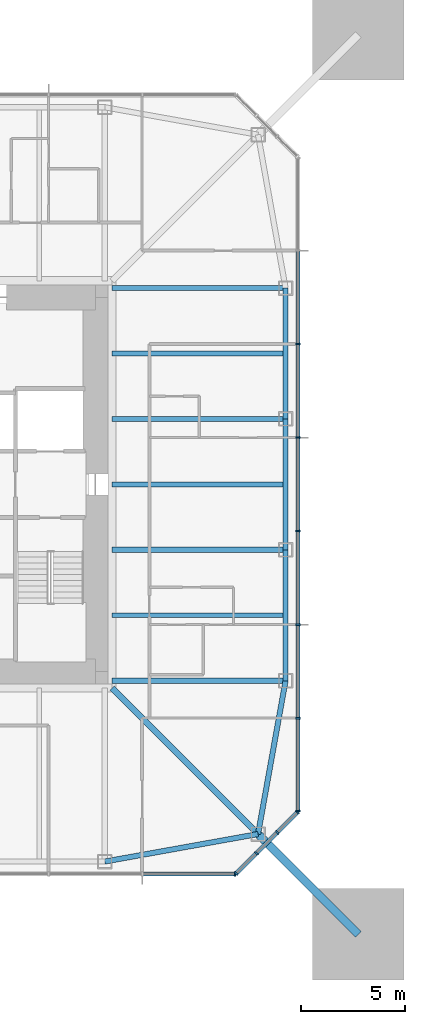
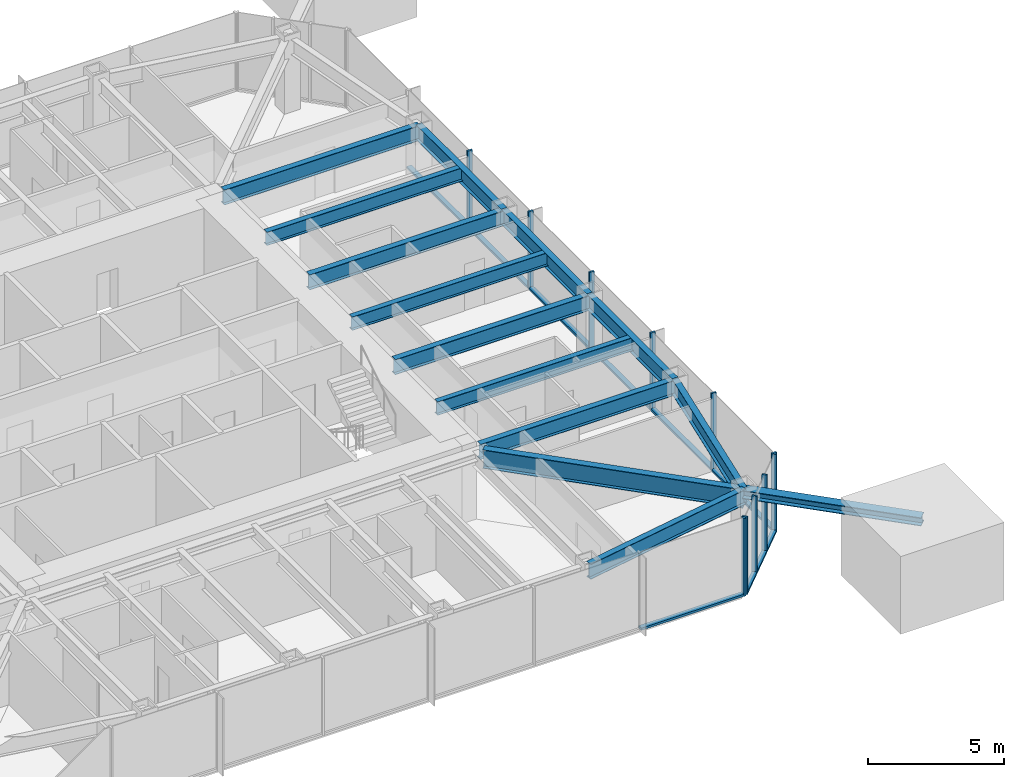
# One storey, part 3 of 11: 22 members, 13 beams, 3 elements without a shape of their own.
"""IFC4 building model written with IfcOpenShell, lengths in metres."""

from ifc_helpers import new_model, si_unit, direction, frame, origin, origin_2d, place, context, subcontext, project, spatial, rectangle, i_section, extrude, material, material_profile, profile_set, type_object, element, aggregate, save


model = new_model("IFC4")

# Units and contexts
model_context = context("Model", 3, precision=1e-05, world=origin(), true_north=direction((0.0, 1.0)))
body_context = subcontext(model_context, "Body", "Model", "MODEL_VIEW")
ifc_project = project(units=[si_unit("LENGTHUNIT", "METRE"), si_unit("AREAUNIT", "SQUARE_METRE"), si_unit("VOLUMEUNIT", "CUBIC_METRE"), si_unit("PLANEANGLEUNIT", "RADIAN"), si_unit("MASSUNIT", "GRAM", prefix="KILO")], contexts=[model_context])

# Site, building, storey
site_placement = place(None, origin())
site = spatial("IfcSite", under=ifc_project, at=site_placement, CompositionType="ELEMENT")
building_placement = place(site_placement, origin())
building = spatial("IfcBuilding", under=site, at=building_placement, Name="Iwan Alto Co-Living Towers", CompositionType="ELEMENT")
storey_placement = place(building_placement, frame((0.0, 0.0, 174.0)))
storey = spatial("IfcBuildingStorey", under=building, at=storey_placement, Name="L47", CompositionType="ELEMENT", Elevation=174.0)

# Curtain wall, member
ifc_material_1 = material(Name="Bronze aluminium unitised frame", Category="aluminium")
curtain_wall_type_1 = type_object("IfcCurtainWallType", Name="CURTAIN WALL CW-A", PredefinedType="NOTDEFINED", material=ifc_material_1)
curtain_wall_1_placement = place(storey_placement, origin())
curtain_wall_1 = element("IfcCurtainWall", 1, at=curtain_wall_1_placement, inside=storey, type_object=curtain_wall_type_1, Name="T1 curtain wall S L47", PredefinedType="NOTDEFINED")
ifc_material_2 = material(Name="Aluminium 6063-T6 bronze anodised", Category="aluminium")
ifc_material_profile_1 = material_profile(ifc_material_2, rectangle(XDim=0.199951171875, YDim=0.080078125, at=origin_2d()), Name="AL 80X200")
ifc_profile_set_1 = profile_set([ifc_material_profile_1], Name="Aluminium 6063-T6 bronze anodised")
member_type_1 = type_object("IfcMemberType", Name="CW-A MULLION 80X200", PredefinedType="MULLION", material=ifc_profile_set_1)
member_1_placement = place(storey_placement, frame((15.7099609375, -18.75, 0.0), z_axis=(0.0, 0.0, 1.0), x_axis=(0.0, 1.0, 0.0)))
member_1 = element("IfcMember", 2, at=member_1_placement, type_object=member_type_1, Name="CW-A mullion 8", PredefinedType="MULLION", context=body_context, shape_type="SweptSolid", body=[
    extrude(rectangle(XDim=0.199951171875, YDim=0.080078125, at=origin_2d()), origin(), (0.0, 0.0, 1.0), 3.5),
])

# Curtain wall, members
curtain_wall_2_placement = place(storey_placement, origin())
curtain_wall_2 = element("IfcCurtainWall", 3, at=curtain_wall_2_placement, inside=storey, type_object=curtain_wall_type_1, Name="T1 curtain wall E L47", PredefinedType="NOTDEFINED")
member_2_placement = place(storey_placement, frame((18.75, -15.7099609375, 0.0), z_axis=(0.0, 0.0, 1.0), x_axis=(-1.0, 0.0, 0.0)))
member_2 = element("IfcMember", 4, at=member_2_placement, type_object=member_type_1, Name="CW-A mullion 1", PredefinedType="MULLION", context=body_context, shape_type="SweptSolid", body=[
    extrude(rectangle(XDim=0.199951171875, YDim=0.080078125, at=origin_2d()), origin(), (0.0, 0.0, 1.0), 3.5),
])
member_3_placement = place(storey_placement, frame((18.75, -11.25, 0.0), z_axis=(0.0, 0.0, 1.0), x_axis=(-1.0, 0.0, 0.0)))
member_3 = element("IfcMember", 5, at=member_3_placement, type_object=member_type_1, Name="CW-A mullion 2", PredefinedType="MULLION", context=body_context, shape_type="SweptSolid", body=[
    extrude(rectangle(XDim=0.199951171875, YDim=0.080078125, at=origin_2d()), origin(), (0.0, 0.0, 1.0), 3.5),
])
member_4_placement = place(storey_placement, frame((18.75, -6.75, 0.0), z_axis=(0.0, 0.0, 1.0), x_axis=(-1.0, 0.0, 0.0)))
member_4 = element("IfcMember", 6, at=member_4_placement, type_object=member_type_1, Name="CW-A mullion 3", PredefinedType="MULLION", context=body_context, shape_type="SweptSolid", body=[
    extrude(rectangle(XDim=0.199951171875, YDim=0.080078125, at=origin_2d()), origin(), (0.0, 0.0, 1.0), 3.5),
])
member_5_placement = place(storey_placement, frame((18.75, -2.25, 0.0), z_axis=(0.0, 0.0, 1.0), x_axis=(-1.0, 0.0, 0.0)))
member_5 = element("IfcMember", 7, at=member_5_placement, type_object=member_type_1, Name="CW-A mullion 4", PredefinedType="MULLION", context=body_context, shape_type="SweptSolid", body=[
    extrude(rectangle(XDim=0.199951171875, YDim=0.080078125, at=origin_2d()), origin(), (0.0, 0.0, 1.0), 3.5),
])
member_6_placement = place(storey_placement, frame((18.75, 2.25, 0.0), z_axis=(0.0, 0.0, 1.0), x_axis=(-1.0, 0.0, 0.0)))
member_6 = element("IfcMember", 8, at=member_6_placement, type_object=member_type_1, Name="CW-A mullion 5", PredefinedType="MULLION", context=body_context, shape_type="SweptSolid", body=[
    extrude(rectangle(XDim=0.199951171875, YDim=0.080078125, at=origin_2d()), origin(), (0.0, 0.0, 1.0), 3.5),
])
member_7_placement = place(storey_placement, frame((18.75, 6.75, 0.0), z_axis=(0.0, 0.0, 1.0), x_axis=(-1.0, 0.0, 0.0)))
member_7 = element("IfcMember", 9, at=member_7_placement, type_object=member_type_1, Name="CW-A mullion 6", PredefinedType="MULLION", context=body_context, shape_type="SweptSolid", body=[
    extrude(rectangle(XDim=0.199951171875, YDim=0.080078125, at=origin_2d()), origin(), (0.0, 0.0, 1.0), 3.5),
])

# Member
ifc_material_3 = material(Name="Aluminium 6063-T6 bronze anodised", Category="aluminium")
ifc_material_profile_2 = material_profile(ifc_material_3, rectangle(XDim=0.199951171875, YDim=0.10009765625, at=origin_2d()), Name="AL 200X100")
ifc_profile_set_2 = profile_set([ifc_material_profile_2], Name="Aluminium 6063-T6 bronze anodised")
member_type_2 = type_object("IfcMemberType", Name="CW-A TRANSOM 200X100", PredefinedType="USERDEFINED", material=ifc_profile_set_2)
member_8_placement = place(storey_placement, frame((11.2900390625, -18.75, 0.050048828125), z_axis=(1.0, 0.0, 0.0), x_axis=(0.0, 1.0, 0.0)))
member_8 = element("IfcMember", 10, at=member_8_placement, type_object=member_type_2, Name="CW-A transom 7.1", ObjectType="TRANSOM", PredefinedType="USERDEFINED", context=body_context, shape_type="SweptSolid", body=[
    extrude(rectangle(XDim=0.199951171875, YDim=0.10009765625, at=origin_2d()), origin(), (0.0, 0.0, 1.0), 4.3798828125),
])

aggregate(curtain_wall_1, [member_1, member_8])

member_9_placement = place(storey_placement, frame((18.75, -15.669921875, 0.050048828125), z_axis=(0.0, 1.0, 0.0), x_axis=(-1.0, 0.0, 0.0)))
member_9 = element("IfcMember", 11, at=member_9_placement, type_object=member_type_2, Name="CW-A transom 1.1", ObjectType="TRANSOM", PredefinedType="USERDEFINED", context=body_context, shape_type="SweptSolid", body=[
    extrude(rectangle(XDim=0.199951171875, YDim=0.10009765625, at=origin_2d()), origin(), (0.0, 0.0, 1.0), 4.3798828125),
])

member_10_placement = place(storey_placement, frame((18.75, -11.2099609375, 0.050048828125), z_axis=(0.0, 1.0, 0.0), x_axis=(-1.0, 0.0, 0.0)))
member_10 = element("IfcMember", 12, at=member_10_placement, type_object=member_type_2, Name="CW-A transom 2.1", ObjectType="TRANSOM", PredefinedType="USERDEFINED", context=body_context, shape_type="SweptSolid", body=[
    extrude(rectangle(XDim=0.199951171875, YDim=0.10009765625, at=origin_2d()), origin(), (0.0, 0.0, 1.0), 4.419921875),
])

member_11_placement = place(storey_placement, frame((18.75, -6.7099609375, 0.050048828125), z_axis=(0.0, 1.0, 0.0), x_axis=(-1.0, 0.0, 0.0)))
member_11 = element("IfcMember", 13, at=member_11_placement, type_object=member_type_2, Name="CW-A transom 3.1", ObjectType="TRANSOM", PredefinedType="USERDEFINED", context=body_context, shape_type="SweptSolid", body=[
    extrude(rectangle(XDim=0.199951171875, YDim=0.10009765625, at=origin_2d()), origin(), (0.0, 0.0, 1.0), 4.419921875),
])

member_12_placement = place(storey_placement, frame((18.75, -2.2099609375, 0.050048828125), z_axis=(0.0, 1.0, 0.0), x_axis=(-1.0, 0.0, 0.0)))
member_12 = element("IfcMember", 14, at=member_12_placement, type_object=member_type_2, Name="CW-A transom 4.1", ObjectType="TRANSOM", PredefinedType="USERDEFINED", context=body_context, shape_type="SweptSolid", body=[
    extrude(rectangle(XDim=0.199951171875, YDim=0.10009765625, at=origin_2d()), origin(), (0.0, 0.0, 1.0), 4.419921875),
])

member_13_placement = place(storey_placement, frame((18.75, 2.2900390625, 0.050048828125), z_axis=(0.0, 1.0, 0.0), x_axis=(-1.0, 0.0, 0.0)))
member_13 = element("IfcMember", 15, at=member_13_placement, type_object=member_type_2, Name="CW-A transom 5.1", ObjectType="TRANSOM", PredefinedType="USERDEFINED", context=body_context, shape_type="SweptSolid", body=[
    extrude(rectangle(XDim=0.199951171875, YDim=0.10009765625, at=origin_2d()), origin(), (0.0, 0.0, 1.0), 4.419921875),
])

member_14_placement = place(storey_placement, frame((18.75, 6.7900390625, 0.050048828125), z_axis=(0.0, 1.0, 0.0), x_axis=(-1.0, 0.0, 0.0)))
member_14 = element("IfcMember", 16, at=member_14_placement, type_object=member_type_2, Name="CW-A transom 6.1", ObjectType="TRANSOM", PredefinedType="USERDEFINED", context=body_context, shape_type="SweptSolid", body=[
    extrude(rectangle(XDim=0.199951171875, YDim=0.10009765625, at=origin_2d()), origin(), (0.0, 0.0, 1.0), 4.419921875),
])

aggregate(curtain_wall_2, [member_2, member_3, member_4, member_5, member_6, member_7, member_9, member_10, member_11, member_12, member_13, member_14])

# Curtain wall, members
ifc_material_4 = material(Name="Bronze aluminium unitised frame", Category="aluminium")
curtain_wall_type_2 = type_object("IfcCurtainWallType", Name="CURTAIN WALL CW-B", PredefinedType="NOTDEFINED", material=ifc_material_4)
curtain_wall_3_placement = place(storey_placement, origin())
curtain_wall_3 = element("IfcCurtainWall", 17, at=curtain_wall_3_placement, inside=storey, type_object=curtain_wall_type_2, Name="T1 chamfer curtain wall SE L47", PredefinedType="NOTDEFINED")
ifc_material_5 = material(Name="Aluminium 6063-T6 bronze anodised", Category="aluminium")
ifc_material_profile_3 = material_profile(ifc_material_5, rectangle(XDim=0.199951171875, YDim=0.080078125, at=origin_2d()), Name="AL 80X200")
ifc_profile_set_3 = profile_set([ifc_material_profile_3], Name="Aluminium 6063-T6 bronze anodised")
member_type_3 = type_object("IfcMemberType", Name="CW-B MULLION 80X200", PredefinedType="MULLION", material=ifc_profile_set_3)
member_15_placement = place(storey_placement, frame((15.7783203125, -18.7216796875, 0.0), z_axis=(0.0, 0.0, 1.0), x_axis=(-0.707106781187, 0.707106781187, 0.0)))
member_15 = element("IfcMember", 18, at=member_15_placement, type_object=member_type_3, Name="CW-B mullion 1", PredefinedType="MULLION", context=body_context, shape_type="SweptSolid", body=[
    extrude(rectangle(XDim=0.199951171875, YDim=0.080078125, at=origin_2d()), origin(), (0.0, 0.0, 1.0), 3.5),
])
member_16_placement = place(storey_placement, frame((16.75, -17.75, 0.0), z_axis=(0.0, 0.0, 1.0), x_axis=(-0.707106781187, 0.707106781187, 0.0)))
member_16 = element("IfcMember", 19, at=member_16_placement, type_object=member_type_3, Name="CW-B mullion 2", PredefinedType="MULLION", context=body_context, shape_type="SweptSolid", body=[
    extrude(rectangle(XDim=0.199951171875, YDim=0.080078125, at=origin_2d()), origin(), (0.0, 0.0, 1.0), 3.5),
])
member_17_placement = place(storey_placement, frame((17.75, -16.75, 0.0), z_axis=(0.0, 0.0, 1.0), x_axis=(-0.707106781187, 0.707106781187, 0.0)))
member_17 = element("IfcMember", 20, at=member_17_placement, type_object=member_type_3, Name="CW-B mullion 3", PredefinedType="MULLION", context=body_context, shape_type="SweptSolid", body=[
    extrude(rectangle(XDim=0.199951171875, YDim=0.080078125, at=origin_2d()), origin(), (0.0, 0.0, 1.0), 3.5),
])
member_18_placement = place(storey_placement, frame((18.7216796875, -15.7783203125, 0.0), z_axis=(0.0, 0.0, 1.0), x_axis=(-0.707106781187, 0.707106781187, 0.0)))
member_18 = element("IfcMember", 21, at=member_18_placement, type_object=member_type_3, Name="CW-B mullion 4", PredefinedType="MULLION", context=body_context, shape_type="SweptSolid", body=[
    extrude(rectangle(XDim=0.199951171875, YDim=0.080078125, at=origin_2d()), origin(), (0.0, 0.0, 1.0), 3.5),
])
ifc_material_6 = material(Name="Aluminium 6063-T6 bronze anodised", Category="aluminium")
ifc_material_profile_4 = material_profile(ifc_material_6, rectangle(XDim=0.199951171875, YDim=0.10009765625, at=origin_2d()), Name="AL 200X100")
ifc_profile_set_4 = profile_set([ifc_material_profile_4], Name="Aluminium 6063-T6 bronze anodised")
member_type_4 = type_object("IfcMemberType", Name="CW-B TRANSOM 200X100", PredefinedType="USERDEFINED", material=ifc_profile_set_4)
member_19_placement = place(storey_placement, frame((15.806640625, -18.693359375, 0.050048828125), z_axis=(0.707106781187, 0.707106781187, 0.0), x_axis=(-0.707106781187, 0.707106781187, 0.0)))
member_19 = element("IfcMember", 22, at=member_19_placement, type_object=member_type_4, Name="CW-B transom 1.1", ObjectType="TRANSOM", PredefinedType="USERDEFINED", context=body_context, shape_type="SweptSolid", body=[
    extrude(rectangle(XDim=0.199951171875, YDim=0.10009765625, at=origin_2d()), origin(), (0.0, 0.0, 1.0), 1.2939453125),
])
member_20_placement = place(storey_placement, frame((16.7783203125, -17.7216796875, 0.050048828125), z_axis=(0.707106781187, 0.707106781187, 0.0), x_axis=(-0.707106781187, 0.707106781187, 0.0)))
member_20 = element("IfcMember", 23, at=member_20_placement, type_object=member_type_4, Name="CW-B transom 2.1", ObjectType="TRANSOM", PredefinedType="USERDEFINED", context=body_context, shape_type="SweptSolid", body=[
    extrude(rectangle(XDim=0.199951171875, YDim=0.10009765625, at=origin_2d()), origin(), (0.0, 0.0, 1.0), 1.334228515625),
])
member_21_placement = place(storey_placement, frame((17.7783203125, -16.7216796875, 0.050048828125), z_axis=(0.707106781187, 0.707106781187, 0.0), x_axis=(-0.707106781187, 0.707106781187, 0.0)))
member_21 = element("IfcMember", 24, at=member_21_placement, type_object=member_type_4, Name="CW-B transom 3.1", ObjectType="TRANSOM", PredefinedType="USERDEFINED", context=body_context, shape_type="SweptSolid", body=[
    extrude(rectangle(XDim=0.199951171875, YDim=0.10009765625, at=origin_2d()), origin(), (0.0, 0.0, 1.0), 1.2939453125),
])
aggregate(curtain_wall_3, [member_15, member_16, member_17, member_18, member_19, member_20, member_21])

# Beams
ifc_material_7 = material(Name="Steel ASTM A992 Gr 50", Category="steel")
ifc_material_profile_5 = material_profile(ifc_material_7, i_section(OverallWidth=0.2919921875, OverallDepth=0.8408203125, WebThickness=0.0146484375, FlangeThickness=0.021728515625, at=origin_2d()), Name="W33X130")
ifc_profile_set_5 = profile_set([ifc_material_profile_5], Name="Steel ASTM A992 Gr 50")
beam_type_1 = type_object("IfcBeamType", Name="T1 CORNER GIRDER W33X130", PredefinedType="BEAM", material=ifc_profile_set_5)
beam_1_placement = place(storey_placement, frame((16.82568359375, -16.82568359375, 2.849609375), z_axis=(-0.707106781187, 0.707106781187, 0.0), x_axis=(-0.707106781187, -0.707106781187, 0.0)))
element("IfcBeam", 25, at=beam_1_placement, inside=storey, type_object=beam_type_1, Name="T1 corner girder CSE L48", PredefinedType="BEAM", context=body_context, shape_type="SweptSolid", body=[
    extrude(i_section(OverallWidth=0.2919921875, OverallDepth=0.8408203125, WebThickness=0.0146484375, FlangeThickness=0.021728515625, at=origin_2d()), origin(), (0.0, 0.0, 1.0), 9.936767578125),
])
ifc_material_8 = material(Name="Steel ASTM A992 Gr 50", Category="steel")
ifc_material_profile_6 = material_profile(ifc_material_8, i_section(OverallWidth=0.25390625, OverallDepth=0.683349609375, WebThickness=0.012451171875, FlangeThickness=0.018798828125, at=origin_2d()), Name="W27X94")
ifc_profile_set_6 = profile_set([ifc_material_profile_6], Name="Steel ASTM A992 Gr 50")
beam_type_2 = type_object("IfcBeamType", Name="T1 EDGE BEAM W27X94", PredefinedType="BEAM", material=ifc_profile_set_6)
for number, where, z_axis, x_axis, name in (
    (26, (9.449951171875, -18.14990234375, 2.928466796875), (0.98426263553, 0.17671181143, 0.0), (-0.17671181143, 0.98426263553, 0.0), "T1 edge beam S4 L48"),
    (27, (16.82568359375, -16.82568359375, 2.928466796875), (0.17671181143, 0.98426263553, 0.0), (-0.98426263553, 0.17671181143, 0.0), "T1 edge beam CSE L48"),
):
    element("IfcBeam", number, at=place(storey_placement, frame(where, z_axis=z_axis, x_axis=x_axis)), inside=storey, type_object=beam_type_2, Name=name, PredefinedType="BEAM", context=body_context, shape_type="SweptSolid", body=[
        extrude(i_section(OverallWidth=0.25390625, OverallDepth=0.683349609375, WebThickness=0.012451171875, FlangeThickness=0.018798828125, at=origin_2d()), origin(), (0.0, 0.0, 1.0), 7.49365234375),
    ])
beam_2_placement = place(storey_placement, frame((18.14990234375, -9.449951171875, 2.928466796875), z_axis=(0.0, 1.0, 0.0), x_axis=(-1.0, 0.0, 0.0)))
element("IfcBeam", 28, at=beam_2_placement, inside=storey, type_object=beam_type_2, Name="T1 edge beam E1 L48", PredefinedType="BEAM", context=body_context, shape_type="SweptSolid", body=[
    extrude(i_section(OverallWidth=0.25390625, OverallDepth=0.683349609375, WebThickness=0.012451171875, FlangeThickness=0.018798828125, at=origin_2d()), origin(), (0.0, 0.0, 1.0), 6.300048828125),
])
beam_3_placement = place(storey_placement, frame((18.14990234375, -3.14990234375, 2.928466796875), z_axis=(0.0, 1.0, 0.0), x_axis=(-1.0, 0.0, 0.0)))
element("IfcBeam", 29, at=beam_3_placement, inside=storey, type_object=beam_type_2, Name="T1 edge beam E2 L48", PredefinedType="BEAM", context=body_context, shape_type="SweptSolid", body=[
    extrude(i_section(OverallWidth=0.25390625, OverallDepth=0.683349609375, WebThickness=0.012451171875, FlangeThickness=0.018798828125, at=origin_2d()), origin(), (0.0, 0.0, 1.0), 6.2998046875),
])
beam_4_placement = place(storey_placement, frame((18.14990234375, 3.14990234375, 2.928466796875), z_axis=(0.0, 1.0, 0.0), x_axis=(-1.0, 0.0, 0.0)))
element("IfcBeam", 30, at=beam_4_placement, inside=storey, type_object=beam_type_2, Name="T1 edge beam E3 L48", PredefinedType="BEAM", context=body_context, shape_type="SweptSolid", body=[
    extrude(i_section(OverallWidth=0.25390625, OverallDepth=0.683349609375, WebThickness=0.012451171875, FlangeThickness=0.018798828125, at=origin_2d()), origin(), (0.0, 0.0, 1.0), 6.300048828125),
])

# Member
ifc_material_9 = material(Name="Steel ASTM A992 Gr 50", Category="steel")
ifc_material_profile_7 = material_profile(ifc_material_9, i_section(OverallWidth=0.393798828125, OverallDepth=0.3759765625, WebThickness=0.017333984375, FlangeThickness=0.027587890625, at=origin_2d()), Name="W14X145")
ifc_profile_set_7 = profile_set([ifc_material_profile_7], Name="Steel ASTM A992 Gr 50")
member_type_5 = type_object("IfcMemberType", Name="T1 MEGA COLUMN FLOOR TIE W14X145", PredefinedType="STRUT", material=ifc_profile_set_7)
member_22_placement = place(storey_placement, frame((21.64990234375, -21.64990234375, 3.08203125), z_axis=(-0.707106781187, 0.707106781187, 0.0), x_axis=(-0.707106781187, -0.707106781187, 0.0)))
element("IfcMember", 31, at=member_22_placement, inside=storey, type_object=member_type_5, Name="T1 mega column floor tie SE L48", PredefinedType="STRUT", context=body_context, shape_type="SweptSolid", body=[
    extrude(i_section(OverallWidth=0.393798828125, OverallDepth=0.3759765625, WebThickness=0.017333984375, FlangeThickness=0.027587890625, at=origin_2d()), origin(), (0.0, 0.0, 1.0), 6.822509765625),
])

# Beams
ifc_material_10 = material(Name="Steel ASTM A992 Gr 50", Category="steel")
ifc_material_profile_8 = material_profile(ifc_material_10, i_section(OverallWidth=0.25390625, OverallDepth=0.683349609375, WebThickness=0.012451171875, FlangeThickness=0.018798828125, at=origin_2d()), Name="W27X94")
ifc_profile_set_8 = profile_set([ifc_material_profile_8], Name="Steel ASTM A992 Gr 50")
beam_type_3 = type_object("IfcBeamType", Name="T1 RADIAL BEAM W27X94", PredefinedType="BEAM", material=ifc_profile_set_8)
for number, where, z_axis, x_axis, name in (
    (32, (18.14990234375, -9.449951171875, 2.928466796875), (-1.0, 0.0, 0.0), (0.0, -1.0, 0.0), "T1 radial beam E1 L48"),
    (33, (18.14990234375, -3.14990234375, 2.928466796875), (-1.0, 0.0, 0.0), (0.0, -1.0, 0.0), "T1 radial beam E2 L48"),
    (34, (18.14990234375, 3.14990234375, 2.928466796875), (-1.0, 0.0, 0.0), (0.0, -1.0, 0.0), "T1 radial beam E3 L48"),
    (35, (18.14990234375, 9.449951171875, 2.928466796875), (-1.0, 0.0, 0.0), (0.0, -1.0, 0.0), "T1 radial beam E4 L48"),
):
    element("IfcBeam", number, at=place(storey_placement, frame(where, z_axis=z_axis, x_axis=x_axis)), inside=storey, type_object=beam_type_3, Name=name, PredefinedType="BEAM", context=body_context, shape_type="SweptSolid", body=[
        extrude(i_section(OverallWidth=0.25390625, OverallDepth=0.683349609375, WebThickness=0.012451171875, FlangeThickness=0.018798828125, at=origin_2d()), origin(), (0.0, 0.0, 1.0), 8.3505859375),
    ])
ifc_material_11 = material(Name="Steel ASTM A992 Gr 50", Category="steel")
ifc_material_profile_9 = material_profile(ifc_material_11, i_section(OverallWidth=0.228271484375, OverallDepth=0.607177734375, WebThickness=0.01123046875, FlangeThickness=0.017333984375, at=origin_2d()), Name="W24X76")
ifc_profile_set_9 = profile_set([ifc_material_profile_9], Name="Steel ASTM A992 Gr 50")
beam_type_4 = type_object("IfcBeamType", Name="T1 SECONDARY BEAM W24X76", PredefinedType="JOIST", material=ifc_profile_set_9)
for number, where, z_axis, x_axis, name in (
    (36, (18.14990234375, -6.300048828125, 2.966552734375), (-1.0, 0.0, 0.0), (0.0, -1.0, 0.0), "T1 secondary beam E1 L48"),
    (37, (18.14990234375, 0.0, 2.966552734375), (-1.0, 0.0, 0.0), (0.0, -1.0, 0.0), "T1 secondary beam E2 L48"),
    (38, (18.14990234375, 6.300048828125, 2.966552734375), (-1.0, 0.0, 0.0), (0.0, -1.0, 0.0), "T1 secondary beam E3 L48"),
):
    element("IfcBeam", number, at=place(storey_placement, frame(where, z_axis=z_axis, x_axis=x_axis)), inside=storey, type_object=beam_type_4, Name=name, PredefinedType="JOIST", context=body_context, shape_type="SweptSolid", body=[
        extrude(i_section(OverallWidth=0.228271484375, OverallDepth=0.607177734375, WebThickness=0.01123046875, FlangeThickness=0.017333984375, at=origin_2d()), origin(), (0.0, 0.0, 1.0), 8.3505859375),
    ])

save(model, "model.ifc")
